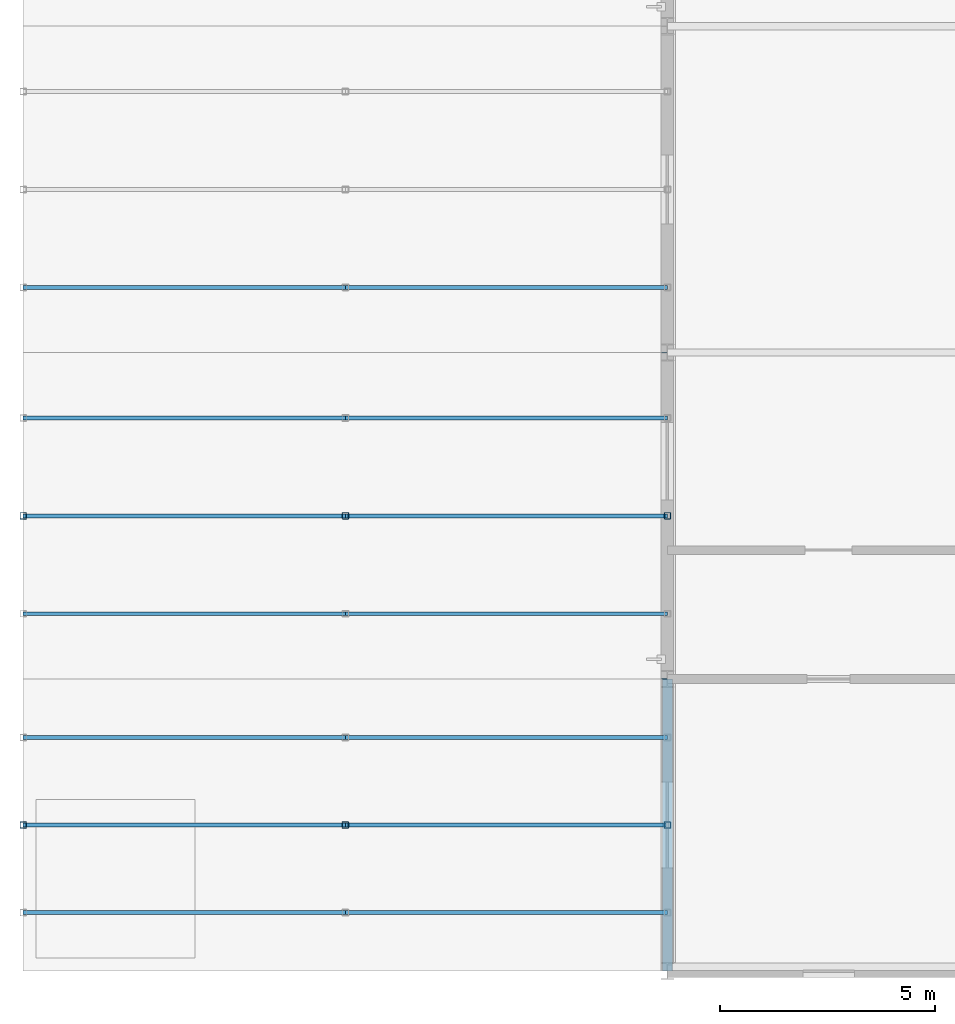
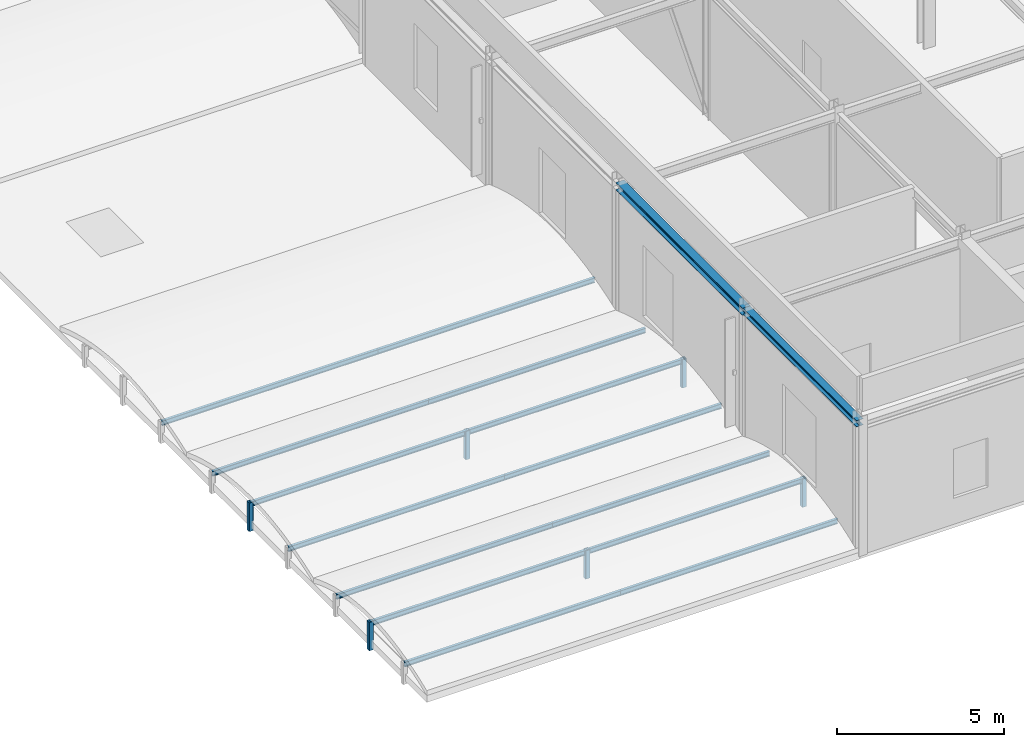
# One storey, part 14 of 79: 20 members, 2 beams.
"""IFC4 building model written with IfcOpenShell, lengths in metres."""

from ifc_helpers import new_model, si_unit, direction, frame, origin, origin_2d, place, context, subcontext, project, spatial, hollow_rectangle, i_section, extrude, material, material_profile, profile_set, type_object, element, save


model = new_model("IFC4")

# Units and contexts
model_context = context("Model", 3, precision=1e-05, world=origin(), true_north=direction((0.0, 1.0)))
body_context = subcontext(model_context, "Body", "Model", "MODEL_VIEW")
ifc_project = project(units=[si_unit("LENGTHUNIT", "METRE"), si_unit("AREAUNIT", "SQUARE_METRE"), si_unit("VOLUMEUNIT", "CUBIC_METRE"), si_unit("PLANEANGLEUNIT", "RADIAN"), si_unit("MASSUNIT", "GRAM", prefix="KILO")], contexts=[model_context])

# Site, building, storey
site_placement = place(None, origin())
site = spatial("IfcSite", under=ifc_project, at=site_placement, CompositionType="ELEMENT")
building_placement = place(site_placement, origin())
building = spatial("IfcBuilding", under=site, at=building_placement, Name="Shalkamar Park Central Library", CompositionType="ELEMENT")
storey_placement = place(building_placement, frame((0.0, 0.0, 10.5)))
storey = spatial("IfcBuildingStorey", under=building, at=storey_placement, Name="L03", CompositionType="ELEMENT", Elevation=10.5)

# Members
ifc_material = material(Name="Steel S355", Category="steel")
ifc_material_profile_1 = material_profile(ifc_material, hollow_rectangle(XDim=0.14990234375, YDim=0.14990234375, WallThickness=0.008056640625, InnerFilletRadius=0.008056640625, OuterFilletRadius=0.011962890625, at=origin_2d()), Name="SHS 150x150x8")
ifc_profile_set_1 = profile_set([ifc_material_profile_1], Name="Steel S355")
member_type_1 = type_object("IfcMemberType", Name="Diagonal Brace SHS150", PredefinedType="BRACE", material=ifc_profile_set_1)
for number, where, z_axis, x_axis, name in (
    (1, (135.0, 251.800048828125, -0.360107421875), (0.0, 0.0, 1.0), (1.0, 0.0, 0.0), "Vault Arch Post BV-L02-W1-03.2"),
    (2, (142.5, 251.800048828125, -0.360107421875), (0.0, 0.0, 1.0), (1.0, 0.0, 0.0), "Vault Arch Post BV-L02-W1-04.2"),
    (3, (150.0, 251.800048828125, -0.360107421875), (0.0, 0.0, 1.0), (1.0, 0.0, 0.0), "Vault Arch Post BV-L02-W1-05.2"),
    (4, (135.0, 259.0, -0.360107421875), (0.0, 0.0, 1.0), (1.0, 0.0, 0.0), "Vault Arch Post BV-L02-W2-03.2"),
    (5, (142.5, 259.0, -0.360107421875), (0.0, 0.0, 1.0), (1.0, 0.0, 0.0), "Vault Arch Post BV-L02-W2-04.2"),
    (6, (150.0, 259.0, -0.360107421875), (0.0, 0.0, 1.0), (1.0, 0.0, 0.0), "Vault Arch Post BV-L02-W2-05.2"),
):
    element("IfcMember", number, at=place(storey_placement, frame(where, z_axis=z_axis, x_axis=x_axis)), inside=storey, type_object=member_type_1, Name=name, PredefinedType="BRACE", context=body_context, shape_type="SweptSolid", body=[
        extrude(hollow_rectangle(XDim=0.14990234375, YDim=0.14990234375, WallThickness=0.008056640625, InnerFilletRadius=0.008056640625, OuterFilletRadius=0.011962890625, at=origin_2d()), origin(), (0.0, 0.0, 1.0), 1.0400390625),
    ])

# Beams
ifc_material_profile_2 = material_profile(ifc_material, i_section(OverallWidth=0.239990234375, OverallDepth=0.22998046875, WebThickness=0.007568359375, FlangeThickness=0.011962890625, FilletRadius=0.02099609375, at=origin_2d()), Name="HEA 240")
ifc_profile_set_2 = profile_set([ifc_material_profile_2], Name="Steel S355")
beam_type_1 = type_object("IfcBeamType", Name="Perimeter Spandrel Beam HEA240", PredefinedType="SPANDREL", material=ifc_profile_set_2)
beam_1_placement = place(storey_placement, frame((150.0, 248.39990234375, 4.735107421875), z_axis=(0.0, 1.0, 0.0), x_axis=(-1.0, 0.0, 0.0)))
element("IfcBeam", 7, at=beam_1_placement, inside=storey, type_object=beam_type_1, Name="Beam 05:B-C (L03)", PredefinedType="SPANDREL", context=body_context, shape_type="SweptSolid", body=[
    extrude(i_section(OverallWidth=0.239990234375, OverallDepth=0.22998046875, WebThickness=0.007568359375, FlangeThickness=0.011962890625, FilletRadius=0.02099609375, at=origin_2d()), origin(), (0.0, 0.0, 1.0), 6.800048828125),
])
ifc_material_profile_3 = material_profile(ifc_material, i_section(OverallWidth=0.280029296875, OverallDepth=0.27001953125, WebThickness=0.008056640625, FlangeThickness=0.012939453125, FilletRadius=0.02392578125, at=origin_2d()), Name="HEA 280")
ifc_profile_set_3 = profile_set([ifc_material_profile_3], Name="Steel S355")
beam_type_2 = type_object("IfcBeamType", Name="Perimeter Spandrel Beam HEA280", PredefinedType="SPANDREL", material=ifc_profile_set_3)
beam_2_placement = place(storey_placement, frame((150.0, 255.199951171875, 4.715087890625), z_axis=(0.0, 1.0, 0.0), x_axis=(-1.0, 0.0, 0.0)))
element("IfcBeam", 8, at=beam_2_placement, inside=storey, type_object=beam_type_2, Name="Beam 05:C-D (L03)", PredefinedType="SPANDREL", context=body_context, shape_type="SweptSolid", body=[
    extrude(i_section(OverallWidth=0.280029296875, OverallDepth=0.27001953125, WebThickness=0.008056640625, FlangeThickness=0.012939453125, FilletRadius=0.02392578125, at=origin_2d()), origin(), (0.0, 0.0, 1.0), 7.60009765625),
])

# Members
ifc_material_profile_4 = material_profile(ifc_material, i_section(OverallWidth=0.091064453125, OverallDepth=0.179931640625, WebThickness=0.00537109375, FlangeThickness=0.008056640625, FilletRadius=0.009033203125, at=origin_2d()), Name="IPE 180")
ifc_profile_set_4 = profile_set([ifc_material_profile_4], Name="Steel S355")
member_type_2 = type_object("IfcMemberType", Name="Roof Purlin IPE180", PredefinedType="PURLIN", material=ifc_profile_set_4)
for number, where, z_axis, x_axis, name in (
    (9, (135.0, 249.760009765625, 0.330810546875), (1.0, 0.0, 0.0), (0.0, 1.0, 0.0), "Barrel Roof Purlin BV-L02-W1-1.03"),
    (10, (142.5, 249.760009765625, 0.330810546875), (1.0, 0.0, 0.0), (0.0, 1.0, 0.0), "Barrel Roof Purlin BV-L02-W1-1.04"),
    (11, (135.0, 251.800048828125, 0.590087890625), (1.0, 0.0, 0.0), (0.0, 1.0, 0.0), "Barrel Roof Purlin BV-L02-W1-2.03"),
    (12, (142.5, 251.800048828125, 0.590087890625), (1.0, 0.0, 0.0), (0.0, 1.0, 0.0), "Barrel Roof Purlin BV-L02-W1-2.04"),
    (13, (135.0, 253.840087890625, 0.330810546875), (1.0, 0.0, 0.0), (0.0, 1.0, 0.0), "Barrel Roof Purlin BV-L02-W1-3.03"),
    (14, (142.5, 253.840087890625, 0.330810546875), (1.0, 0.0, 0.0), (0.0, 1.0, 0.0), "Barrel Roof Purlin BV-L02-W1-3.04"),
    (15, (135.0, 256.719970703125, 0.330810546875), (1.0, 0.0, 0.0), (0.0, 1.0, 0.0), "Barrel Roof Purlin BV-L02-W2-1.03"),
    (16, (142.5, 256.719970703125, 0.330810546875), (1.0, 0.0, 0.0), (0.0, 1.0, 0.0), "Barrel Roof Purlin BV-L02-W2-1.04"),
    (17, (135.0, 259.0, 0.590087890625), (1.0, 0.0, 0.0), (0.0, 1.0, 0.0), "Barrel Roof Purlin BV-L02-W2-2.03"),
    (18, (142.5, 259.0, 0.590087890625), (1.0, 0.0, 0.0), (0.0, 1.0, 0.0), "Barrel Roof Purlin BV-L02-W2-2.04"),
    (19, (135.0, 261.280029296875, 0.330810546875), (1.0, 0.0, 0.0), (0.0, 1.0, 0.0), "Barrel Roof Purlin BV-L02-W2-3.03"),
    (20, (142.5, 261.280029296875, 0.330810546875), (1.0, 0.0, 0.0), (0.0, 1.0, 0.0), "Barrel Roof Purlin BV-L02-W2-3.04"),
    (21, (135.0, 264.320068359375, 0.330810546875), (1.0, 0.0, 0.0), (0.0, 1.0, 0.0), "Barrel Roof Purlin BV-L02-W3-1.03"),
    (22, (142.5, 264.320068359375, 0.330810546875), (1.0, 0.0, 0.0), (0.0, 1.0, 0.0), "Barrel Roof Purlin BV-L02-W3-1.04"),
):
    element("IfcMember", number, at=place(storey_placement, frame(where, z_axis=z_axis, x_axis=x_axis)), inside=storey, type_object=member_type_2, Name=name, PredefinedType="PURLIN", context=body_context, shape_type="SweptSolid", body=[
        extrude(i_section(OverallWidth=0.091064453125, OverallDepth=0.179931640625, WebThickness=0.00537109375, FlangeThickness=0.008056640625, FilletRadius=0.009033203125, at=origin_2d()), origin(), (0.0, 0.0, 1.0), 7.5),
    ])

save(model, "model.ifc")
